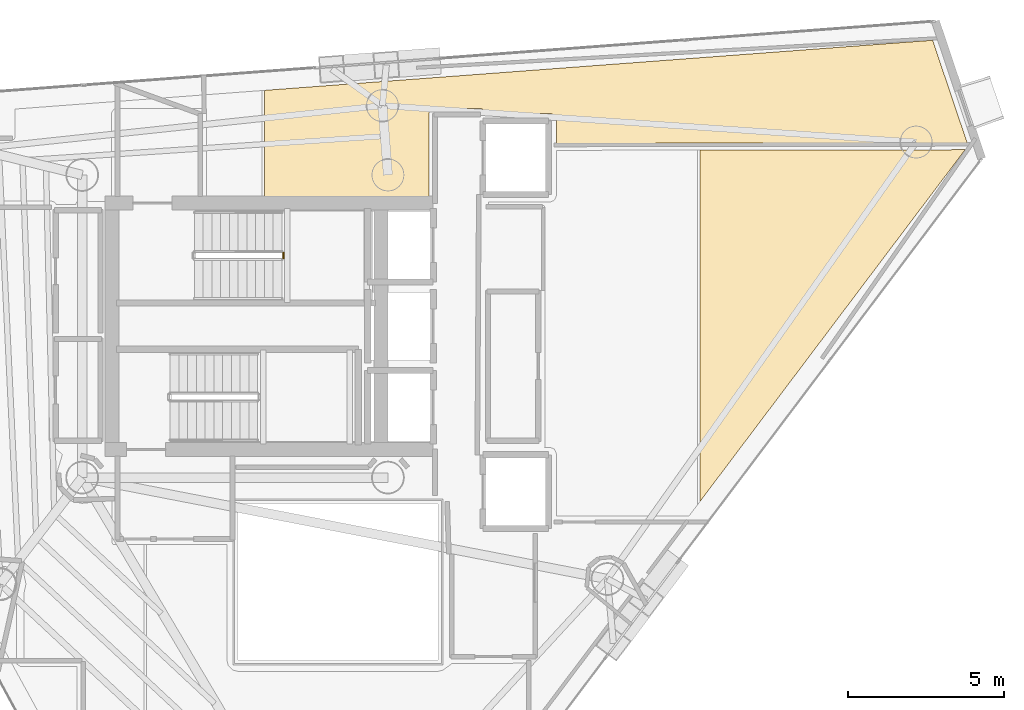
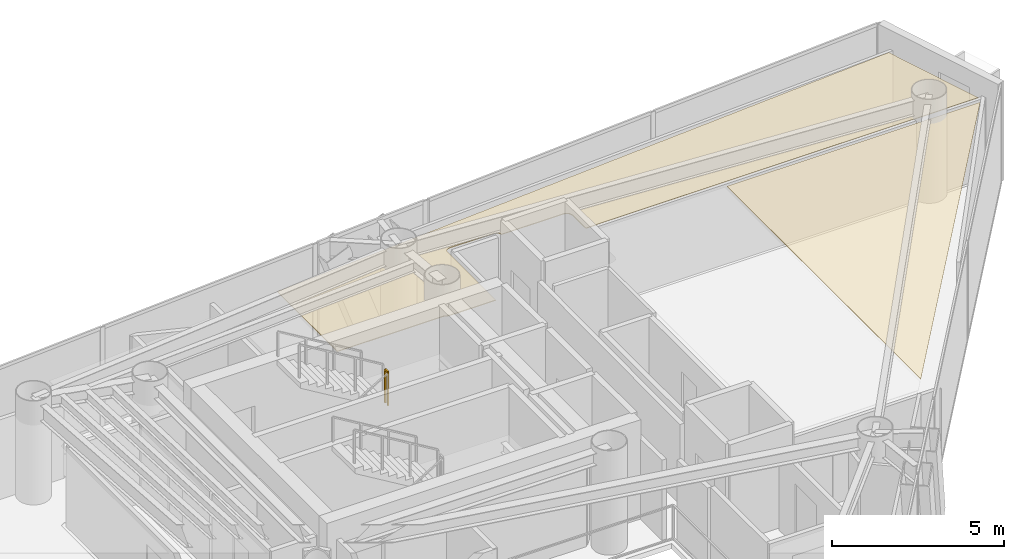
# One storey, part 19 of 19: 2 coverings, 1 railing.
"""IFC4 building model written with IfcOpenShell, lengths in metres."""

from ifc_helpers import new_model, si_unit, direction, frame, origin, origin_2d, place, context, subcontext, project, spatial, polyline, rectangle, outline, extrude, material, layer, layer_set, type_object, element, save


model = new_model("IFC4")

# Units and contexts
model_context = context("Model", 3, precision=1e-05, world=origin(), true_north=direction((0.0, 1.0)))
body_context = subcontext(model_context, "Body", "Model", "MODEL_VIEW")
ifc_project = project(units=[si_unit("LENGTHUNIT", "METRE"), si_unit("AREAUNIT", "SQUARE_METRE"), si_unit("VOLUMEUNIT", "CUBIC_METRE"), si_unit("PLANEANGLEUNIT", "RADIAN"), si_unit("MASSUNIT", "GRAM", prefix="KILO")], contexts=[model_context])

# Site, building, storey
site_placement = place(None, origin())
site = spatial("IfcSite", under=ifc_project, at=site_placement, CompositionType="ELEMENT")
building_placement = place(site_placement, origin())
building = spatial("IfcBuilding", under=site, at=building_placement, Name="Qianvela Tower", CompositionType="ELEMENT")
storey_placement = place(building_placement, frame((0.0, 0.0, 268.60009765625)))
storey = spatial("IfcBuildingStorey", under=building, at=storey_placement, Name="L69", CompositionType="ELEMENT", Elevation=268.60009765625)

# Coverings
ifc_material_1 = material(Name="Perforated Mineral Acoustic Ceiling Tile")
ifc_layer = layer(ifc_material_1, 0.02490234375)
ifc_layer_set = layer_set([ifc_layer], Name="Perforated Mineral Acoustic Ceiling Tile")
covering_type = type_object("IfcCoveringType", Name="COV-CEIL-ACOUSTIC-25", PredefinedType="CEILING", material=ifc_layer_set)
covering_1_placement = place(storey_placement, frame((0.0, 0.0, 2.81494140625)))
element("IfcCovering", 1, at=covering_1_placement, inside=storey, type_object=covering_type, Name="L69 Acoustic Ceiling Bay 2 Student Reading Library L69-03", PredefinedType="CEILING", context=body_context, shape_type="SweptSolid", body=[
    extrude(outline(polyline([(55.860107421875, 37.867431640625), (56.96728515625, 34.5810546875), (43.7998046875, 34.56201171875), (43.79931640625, 35.313720703125), (43.798828125, 35.321533203125), (43.7978515625, 35.329345703125), (43.7958984375, 35.3369140625), (43.793212890625, 35.34423828125), (43.76220703125, 35.41943359375), (43.7587890625, 35.426513671875), (43.754638671875, 35.433349609375), (43.75, 35.439697265625), (43.744873046875, 35.4453125), (43.739013671875, 35.45068359375), (43.732666015625, 35.455322265625), (43.6650390625, 35.50048828125), (43.658447265625, 35.50439453125), (43.6513671875, 35.5078125), (43.64404296875, 35.510498046875), (43.636474609375, 35.512451171875), (43.628662109375, 35.513671875), (43.620849609375, 35.513916015625), (41.515625, 35.519775390625), (41.513916015625, 35.554931640625), (41.512939453125, 35.562744140625), (41.511474609375, 35.5703125), (41.509033203125, 35.577880859375), (41.506103515625, 35.585205078125), (41.50244140625, 35.591796875), (41.498046875, 35.598388671875), (41.4931640625, 35.6044921875), (41.487548828125, 35.60986328125), (41.481689453125, 35.614990234375), (41.41552734375, 35.663818359375), (41.408447265625, 35.668701171875), (41.40087890625, 35.672607421875), (41.392822265625, 35.675537109375), (41.384765625, 35.677734375), (41.376220703125, 35.67919921875), (41.367919921875, 35.6796875), (39.872314453125, 35.6796875), (39.8642578125, 35.67919921875), (39.856689453125, 35.677978515625), (39.848876953125, 35.67626953125), (39.841552734375, 35.673583984375), (39.83447265625, 35.670166015625), (39.780517578125, 35.641357421875), (39.774169921875, 35.637451171875), (39.768310546875, 35.63330078125), (39.7626953125, 35.62841796875), (39.757568359375, 35.623046875), (39.7529296875, 35.6171875), (39.7490234375, 35.611083984375), (39.74560546875, 35.6044921875), (39.742919921875, 35.59765625), (39.724609375, 35.547119140625), (39.72216796875, 35.5380859375), (39.720458984375, 35.529052734375), (39.719970703125, 35.52001953125), (39.719970703125, 32.719970703125), (38.125, 32.719970703125), (38.03369140625, 32.762451171875), (38.025634765625, 32.765625), (38.017333984375, 32.76806640625), (38.0087890625, 32.76953125), (38.0, 32.77001953125), (34.43798828125, 32.77001953125), (34.43798828125, 36.26171875), (55.860107421875, 37.867431640625)])), origin(), (0.0, 0.0, 1.0), 0.02490234375),
])
covering_2_placement = place(storey_placement, frame((0.0, 0.0, 2.81494140625)))
element("IfcCovering", 2, at=covering_2_placement, inside=storey, type_object=covering_type, Name="L69 Acoustic Ceiling Bay 2 Media Practice Cinema L69-04", PredefinedType="CEILING", context=body_context, shape_type="SweptSolid", body=[
    extrude(outline(polyline([(56.901123046875, 34.35888671875), (48.40771484375, 23.090576171875), (48.40771484375, 34.3466796875), (56.901123046875, 34.35888671875)])), origin(), (0.0, 0.0, 1.0), 0.02490234375),
])

# Railing
ifc_material_2 = material(Name="Painted Tubular Steel Q355B", Category="steel")
railing_type = type_object("IfcRailingType", Name="RL-STAIR-GUARD-1200", PredefinedType="GUARDRAIL", material=ifc_material_2)
railing_placement = place(storey_placement, frame((35.050048828125, 30.889892578125, 1.849853515625)))
element("IfcRailing", 3, at=railing_placement, inside=storey, type_object=railing_type, Name="L69 ST-1 stair guard 2", PredefinedType="GUARDRAIL", context=body_context, shape_type="SweptSolid", body=[
    extrude(rectangle(XDim=0.050048828125, YDim=0.0400390625, at=origin_2d()), frame((0.0, 0.0, 1.179931640625), z_axis=(0.0, 1.0, 0.0), x_axis=(-1.0, 0.0, 0.0)), (0.0, 0.0, 1.0), 0.16015625),
    extrude(rectangle(XDim=0.050048828125, YDim=0.050048828125, at=origin_2d()), origin(), (0.0, 0.0, 1.0), 1.159912109375),
    extrude(rectangle(XDim=0.050048828125, YDim=0.050048828125, at=origin_2d()), frame((0.0, 0.16015625, 0.0)), (0.0, 0.0, 1.0), 1.159912109375),
])

save(model, "model.ifc")
